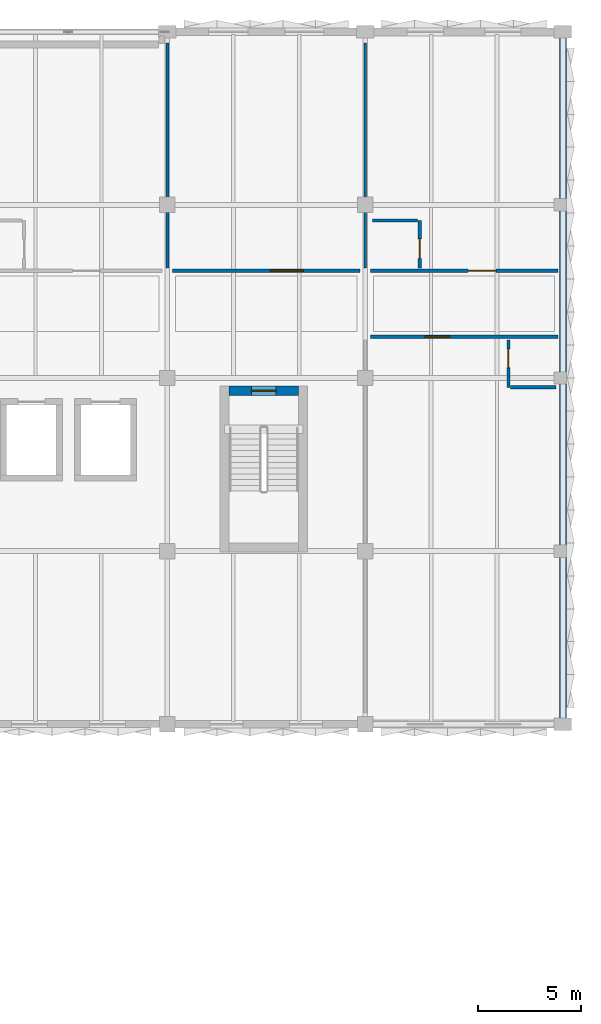
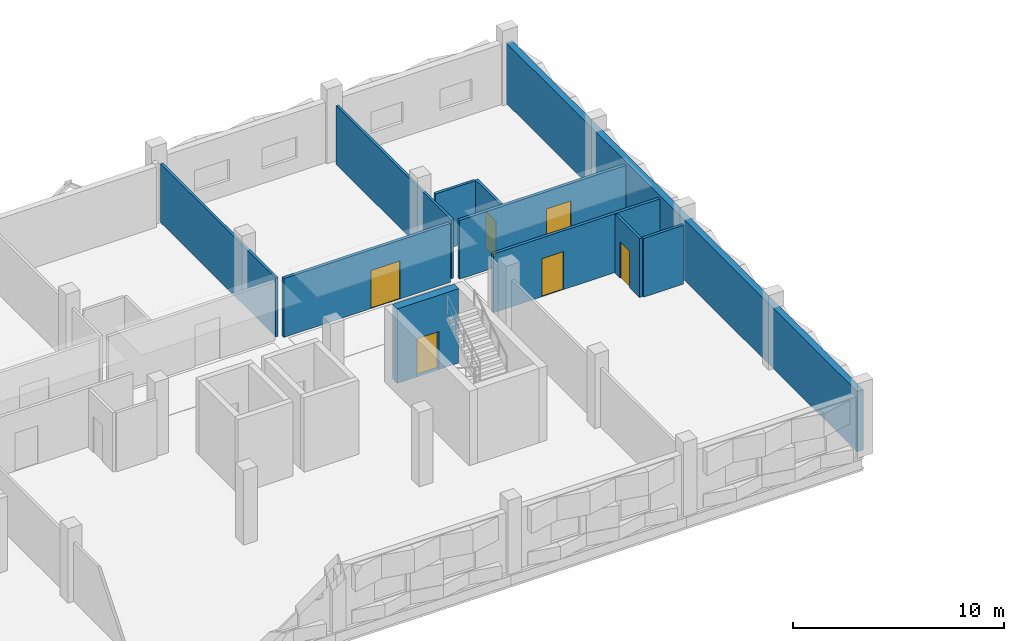
# One storey, part 66 of 86: 11 walls, 6 doors, 6 openings.
"""IFC4 building model written with IfcOpenShell, lengths in metres."""

import ifcopenshell
import ifcopenshell.guid

model = None  # the IFC model being written
_history = None  # IfcOwnerHistory: only IFC2X3 demands one
_inside = {}  # id of a spatial element -> (the spatial element, [elements in it])
_under = {}  # id of a project, library or spatial element -> (it, [spatial elements below it])
_declared = {}  # id of a project -> (the project, [libraries it declares])
_typed = {}  # id of a type object -> (the type object, [elements of that type])
_made_of = {}  # id of a material, layer set ... -> (it, [elements and type objects made of it])


def new_model(schema):
    """Start an empty IFC model of exactly this schema.

    Asked for "IFC4X3", IfcOpenShell would pick the latest addendum, in which some entities
    have other attributes; the version numbers below select the first issue.
    IFC2X3 requires an IfcOwnerHistory on every rooted entity: one is made here for all.
    """
    global model, _history
    if schema == "IFC4X3":
        model = ifcopenshell.file(schema_version=(4, 3, 0, 0))
    else:
        model = ifcopenshell.file(schema=schema)
    _inside.clear()
    _under.clear()
    _declared.clear()
    _typed.clear()
    _made_of.clear()
    _history = None
    if model.schema == "IFC2X3":
        org = make("IfcOrganization", Name="unknown")
        user = make(
            "IfcPersonAndOrganization",
            ThePerson=make("IfcPerson", FamilyName="unknown"),
            TheOrganization=org,
        )
        app = make(
            "IfcApplication",
            ApplicationDeveloper=org,
            Version="unknown",
            ApplicationFullName="unknown",
            ApplicationIdentifier="unknown",
        )
        _history = make(
            "IfcOwnerHistory",
            OwningUser=user,
            OwningApplication=app,
            ChangeAction="ADDED",
            CreationDate=0,
        )
    return model


def make(cls, **values):
    """One entity of the class cls with the attributes given. An attribute that is None is left unset."""
    return model.create_entity(
        cls, **{name: value for name, value in values.items() if value is not None}
    )


def rooted(cls, **values):
    """An entity with a GlobalId (a new one), such as an element, a storey or a relation."""
    return make(cls, GlobalId=ifcopenshell.guid.new(), OwnerHistory=_history, **values)


def si_unit(unit_type, name, prefix=None):
    """IfcSIUnit, for example si_unit("LENGTHUNIT", "METRE", prefix="MILLI")."""
    return make("IfcSIUnit", UnitType=unit_type, Prefix=prefix, Name=name)


def assignment(units):
    """IfcUnitAssignment: the units of a project."""
    return None if units is None else make("IfcUnitAssignment", Units=units)


def point(xyz):
    """IfcCartesianPoint."""
    return None if xyz is None else make("IfcCartesianPoint", Coordinates=xyz)


def direction(xyz):
    """IfcDirection."""
    return None if xyz is None else make("IfcDirection", DirectionRatios=xyz)


def frame(location, z_axis=None, x_axis=None):
    """IfcAxis2Placement3D, a coordinate frame: its origin and axes. An axis left out is left unset."""
    return make(
        "IfcAxis2Placement3D",
        Location=point(location),
        Axis=direction(z_axis),
        RefDirection=direction(x_axis),
    )


def frame_2d(location, x_axis=None):
    """IfcAxis2Placement2D, a coordinate frame in the plane: its origin and x axis."""
    return make(
        "IfcAxis2Placement2D", Location=point(location), RefDirection=direction(x_axis)
    )


def origin():
    """The frame at (0, 0, 0) with its axes left unset."""
    return frame((0.0, 0.0, 0.0))


def place(relative_to, where):
    """IfcLocalPlacement: puts the frame where relative to a parent placement (None: the world)."""
    return make(
        "IfcLocalPlacement", PlacementRelTo=relative_to, RelativePlacement=where
    )


def context(
    kind, dimensions, precision=None, world=None, true_north=None, identifier=None
):
    """IfcGeometricRepresentationContext, for example the 3D "Model" context."""
    return make(
        "IfcGeometricRepresentationContext",
        ContextIdentifier=identifier,
        ContextType=kind,
        CoordinateSpaceDimension=dimensions,
        Precision=precision,
        WorldCoordinateSystem=world,
        TrueNorth=true_north,
    )


def subcontext(parent, identifier, kind, view, scale=None):
    """IfcGeometricRepresentationSubContext, for example "Body" below "Model"."""
    return make(
        "IfcGeometricRepresentationSubContext",
        ContextIdentifier=identifier,
        ContextType=kind,
        ParentContext=parent,
        TargetScale=scale,
        TargetView=view,
    )


def project(units=None, contexts=None):
    """IfcProject with its units and contexts."""
    return rooted(
        "IfcProject",
        Name="project",
        RepresentationContexts=contexts,
        UnitsInContext=assignment(units),
    )


def spatial(cls, under=None, at=None, **own):
    """A site, building, storey or space (cls), placed at a placement, below another one or the project."""
    s = rooted(cls, ObjectPlacement=at, **own)
    if under is not None:
        _under.setdefault(under.id(), (under, []))[1].append(s)
    return s


def profile(cls, at=None, kind="AREA", **sizes):
    """A parametric profile (cls). Its sizes go by their IFC names, for example OverallWidth=200.0."""
    return make(cls, ProfileType=kind, Position=at, **sizes)


def rectangle(**sizes):
    """IfcRectangleProfileDef."""
    return profile("IfcRectangleProfileDef", **sizes)


def extrude(swept, where, along, depth):
    """IfcExtrudedAreaSolid: the profile swept, set in the frame where, extruded along a direction by depth."""
    return make(
        "IfcExtrudedAreaSolid",
        SweptArea=swept,
        Position=where,
        ExtrudedDirection=direction(along),
        Depth=depth,
    )


def shape(context_of_items, identifier, shape_type, items):
    """IfcShapeRepresentation: the items that make up one representation, for example the "Body"."""
    return make(
        "IfcShapeRepresentation",
        ContextOfItems=context_of_items,
        RepresentationIdentifier=identifier,
        RepresentationType=shape_type,
        Items=items,
    )


def material(Name=None, Category=None):
    """IfcMaterial."""
    return make("IfcMaterial", Name=Name, Category=Category)


def layer(
    of_material, thickness, ventilated=None, Name=None, Category=None, Priority=None
):
    """IfcMaterialLayer: one layer of a wall or slab, of a material (None: an air gap)."""
    return make(
        "IfcMaterialLayer",
        Material=of_material,
        LayerThickness=thickness,
        IsVentilated=ventilated,
        Name=Name,
        Category=Category,
        Priority=Priority,
    )


def layer_set(layers, Name=None):
    """IfcMaterialLayerSet."""
    return make("IfcMaterialLayerSet", MaterialLayers=layers, LayerSetName=Name)


def made_of(thing, what):
    """Note that an element or type object is made of a material, layer set ...; save() writes the relation."""
    if what is not None:
        _made_of.setdefault(what.id(), (what, []))[1].append(thing)
    return thing


def type_object(cls, material=None, **own):
    """A type object (cls), such as IfcWallType, which elements share."""
    return made_of(rooted(cls, **own), material)


def element(
    cls,
    number,
    at=None,
    inside=None,
    cuts=None,
    type_object=None,
    material=None,
    context=None,
    identifier="Body",
    shape_type=None,
    held_by="IfcProductDefinitionShape",
    body=None,
    shapes=None,
    **own,
):
    """One element of the class cls, such as IfcWall. Its Tag is "e" and its number.

    at: its placement. inside: the storey or other place that contains it. cuts: it is an
    opening in that element (IfcRelVoidsElement). A single representation is given by context,
    identifier, shape_type and body (its items); several are given by shapes. held_by: the class
    of the entity that holds the representations. save() writes the other relations.
    """
    e = rooted(cls, Tag="e%d" % number, ObjectPlacement=at, **own)
    if body is not None:
        shapes = [shape(context, identifier, shape_type, body)]
    if shapes is not None:
        e.Representation = make(held_by, Representations=shapes)
    if inside is not None:
        _inside.setdefault(inside.id(), (inside, []))[1].append(e)
    if cuts is not None:
        rooted(
            "IfcRelVoidsElement", RelatingBuildingElement=cuts, RelatedOpeningElement=e
        )
    if type_object is not None:
        _typed.setdefault(type_object.id(), (type_object, []))[1].append(e)
    return made_of(e, material)


def fill(opening, filler):
    """IfcRelFillsElement: the door or window that sits in an opening."""
    return rooted(
        "IfcRelFillsElement",
        RelatingOpeningElement=opening,
        RelatedBuildingElement=filler,
    )


def aggregate(whole, parts):
    """IfcRelAggregates: a whole, such as a stair, and the parts it consists of."""
    return rooted("IfcRelAggregates", RelatingObject=whole, RelatedObjects=parts)


def save(model, path):
    """Write the relations noted so far, then the file.

    IfcRelAggregates (storeys below a building ...), IfcRelContainedInSpatialStructure (elements
    in a storey), IfcRelDefinesByType, IfcRelAssociatesMaterial and IfcRelDeclares: one each for
    every whole, place, type object, material and project.
    """
    for whole, parts in _under.values():
        aggregate(whole, parts)
    for where, things in _inside.values():
        rooted(
            "IfcRelContainedInSpatialStructure",
            RelatedElements=things,
            RelatingStructure=where,
        )
    for kind, things in _typed.values():
        rooted("IfcRelDefinesByType", RelatedObjects=things, RelatingType=kind)
    for what, things in _made_of.values():
        rooted("IfcRelAssociatesMaterial", RelatedObjects=things, RelatingMaterial=what)
    for by, libraries in _declared.values():
        rooted("IfcRelDeclares", RelatingContext=by, RelatedDefinitions=libraries)
    model.write(path)


model = new_model("IFC4")

# Units and contexts
model_context = context("Model", 3, precision=1e-05, world=origin(), true_north=direction((0.0, 1.0)))
body_context = subcontext(model_context, "Body", "Model", "MODEL_VIEW")
ifc_project = project(units=[si_unit("LENGTHUNIT", "METRE"), si_unit("AREAUNIT", "SQUARE_METRE"), si_unit("VOLUMEUNIT", "CUBIC_METRE"), si_unit("PLANEANGLEUNIT", "RADIAN"), si_unit("MASSUNIT", "GRAM", prefix="KILO")], contexts=[model_context])

# Site, building, storey
site_placement = place(None, origin())
site = spatial("IfcSite", under=ifc_project, at=site_placement, CompositionType="ELEMENT")
building_placement = place(site_placement, origin())
building = spatial("IfcBuilding", under=site, at=building_placement, Name="Oolite Switchyard Hospital", CompositionType="ELEMENT")
storey_placement = place(building_placement, frame((0.0, 0.0, 13.5)))
storey = spatial("IfcBuildingStorey", under=building, at=storey_placement, Name="L03", CompositionType="ELEMENT", Elevation=13.5)

# Walls
ifc_material_1 = material(Name="Precast oolitic limestone architectural concrete C40/50", Category="masonry")
ifc_layer_1 = layer(ifc_material_1, 0.340087890625)
ifc_layer_set_1 = layer_set([ifc_layer_1], Name="WAL-EXT-340")
wall_type_1 = type_object("IfcWallType", Name="WAL-EXT-340", PredefinedType="SOLIDWALL", material=ifc_layer_set_1)
wall_1_placement = place(storey_placement, frame((211.199951171875, 134.239990234375, 0.0), z_axis=(0.0, 0.0, 1.0), x_axis=(0.0, -1.0, 0.0)))
element("IfcWall", 1, at=wall_1_placement, inside=storey, type_object=wall_type_1, Name="L03 Exterior Spandrel Wall 246", PredefinedType="SOLIDWALL", context=body_context, shape_type="SweptSolid", body=[
    extrude(rectangle(XDim=33.280029296875, YDim=0.340087890625, at=frame_2d((16.64013671875, 0.0))), origin(), (0.0, 0.0, 1.0), 3.489990234375),
])
ifc_material_2 = material(Name="Moisture-resistant gypsum board on steel studs", Category="steel")
ifc_layer_2 = layer(ifc_material_2, 0.135009765625)
ifc_layer_set_2 = layer_set([ifc_layer_2], Name="WAL-PART-135")
wall_type_2 = type_object("IfcWallType", Name="WAL-PART-135", PredefinedType="PARTITIONING", material=ifc_layer_set_2)
for number, where, z_axis, x_axis, name in (
    (2, (192.0, 122.949951171875, 0.0), (0.0, 0.0, 1.0), (0.0, 1.0, 0.0), "L03 Interior Partition 693"),
    (3, (201.60009765625, 122.949951171875, 0.0), (0.0, 0.0, 1.0), (0.0, 1.0, 0.0), "L03 Interior Partition 701"),
):
    element("IfcWall", number, at=place(storey_placement, frame(where, z_axis=z_axis, x_axis=x_axis)), inside=storey, type_object=wall_type_2, Name=name, PredefinedType="PARTITIONING", context=body_context, shape_type="SweptSolid", body=[
        extrude(rectangle(XDim=10.900146484375, YDim=0.135009765625, at=frame_2d((5.4501953125, 0.0))), origin(), (0.0, 0.0, 1.0), 3.39990234375),
    ])

# Wall, opening, door
ifc_layer_3 = layer(ifc_material_2, 0.14990234375)
ifc_layer_set_3 = layer_set([ifc_layer_3], Name="WAL-PART-150")
wall_type_3 = type_object("IfcWallType", Name="WAL-PART-150", PredefinedType="PARTITIONING", material=ifc_layer_set_3)
wall_2_placement = place(storey_placement, frame((208.550048828125, 117.14990234375, 0.0), z_axis=(0.0, 0.0, 1.0), x_axis=(0.0, 1.0, 0.0)))
wall_2 = element("IfcWall", 4, at=wall_2_placement, inside=storey, type_object=wall_type_3, Name="L03 Interior Partition 695", PredefinedType="PARTITIONING", context=body_context, shape_type="SweptSolid", body=[
    extrude(rectangle(XDim=2.300048828125, YDim=0.14990234375, at=frame_2d((1.14990234375, 0.0))), origin(), (0.0, 0.0, 1.0), 3.39990234375),
])
opening_1_placement = place(wall_2_placement, frame((0.949951171875, 0.0, 0.0)))
opening_1 = element("IfcOpeningElement", 5, at=opening_1_placement, cuts=wall_2, Name="Opening D-0388", PredefinedType="OPENING", context=body_context, shape_type="SweptSolid", body=[
    extrude(rectangle(XDim=0.89990234375, YDim=2.10009765625, at=frame_2d((0.449951171875, 1.050048828125))), frame((0.0, 0.0849609375, 0.0), z_axis=(0.0, -1.0, 0.0), x_axis=(1.0, 0.0, 0.0)), (0.0, 0.0, 1.0), 0.169921875),
])
ifc_material_3 = material(Name="Solid-core antimicrobial hardwood leaf in steel frame", Category="steel")
door_type_1 = type_object("IfcDoorType", Name="DR-BATH-090X210", OperationType="NOTDEFINED", PredefinedType="DOOR", material=ifc_material_3)
door_1_placement = place(opening_1_placement, origin())
door_1 = element("IfcDoor", 6, at=door_1_placement, inside=storey, type_object=door_type_1, Name="L03 Interior Door D-0388", OperationType="SINGLE_SWING_LEFT", OverallHeight=2.10009765625, OverallWidth=0.89990234375, PredefinedType="DOOR", context=body_context, shape_type="SweptSolid", body=[
    extrude(rectangle(XDim=0.89990234375, YDim=2.10009765625, at=frame_2d((0.449951171875, 1.050048828125))), frame((0.0, 0.02490234375, 0.0), z_axis=(0.0, -1.0, 0.0), x_axis=(1.0, 0.0, 0.0)), (0.0, 0.0, 1.0), 0.050048828125),
])
fill(opening_1, door_1)

# Wall
wall_3_placement = place(storey_placement, frame((208.64990234375, 117.14990234375, 0.0), z_axis=(0.0, 0.0, 1.0), x_axis=(1.0, 0.0, 0.0)))
element("IfcWall", 7, at=wall_3_placement, inside=storey, type_object=wall_type_3, Name="L03 Interior Partition 696", PredefinedType="PARTITIONING", context=body_context, shape_type="SweptSolid", body=[
    extrude(rectangle(XDim=2.2001953125, YDim=0.14990234375, at=frame_2d((1.10009765625, 0.0))), origin(), (0.0, 0.0, 1.0), 3.39990234375),
])

# Wall, opening, door
wall_4_placement = place(storey_placement, frame((204.25, 122.949951171875, 0.0), z_axis=(0.0, 0.0, 1.0), x_axis=(0.0, 1.0, 0.0)))
wall_4 = element("IfcWall", 8, at=wall_4_placement, inside=storey, type_object=wall_type_3, Name="L03 Interior Partition 699", PredefinedType="PARTITIONING", context=body_context, shape_type="SweptSolid", body=[
    extrude(rectangle(XDim=2.300048828125, YDim=0.14990234375, at=frame_2d((1.14990234375, 0.0))), origin(), (0.0, 0.0, 1.0), 3.39990234375),
])
opening_2_placement = place(wall_4_placement, frame((0.449951171875, 0.0, 0.0)))
opening_2 = element("IfcOpeningElement", 9, at=opening_2_placement, cuts=wall_4, Name="Opening D-0390", PredefinedType="OPENING", context=body_context, shape_type="SweptSolid", body=[
    extrude(rectangle(XDim=0.949951171875, YDim=2.10009765625, at=frame_2d((0.47509765625, 1.050048828125))), frame((0.0, 0.0849609375, 0.0), z_axis=(0.0, -1.0, 0.0), x_axis=(1.0, 0.0, 0.0)), (0.0, 0.0, 1.0), 0.169921875),
])
door_type_2 = type_object("IfcDoorType", Name="DR-BATH-095X210", OperationType="NOTDEFINED", PredefinedType="DOOR", material=ifc_material_3)
door_2_placement = place(opening_2_placement, origin())
door_2 = element("IfcDoor", 10, at=door_2_placement, inside=storey, type_object=door_type_2, Name="L03 Interior Door D-0390", OperationType="SINGLE_SWING_RIGHT", OverallHeight=2.10009765625, OverallWidth=0.949951171875, PredefinedType="DOOR", context=body_context, shape_type="SweptSolid", body=[
    extrude(rectangle(XDim=0.949951171875, YDim=2.10009765625, at=frame_2d((0.47509765625, 1.050048828125))), frame((0.0, 0.02490234375, 0.0), z_axis=(0.0, -1.0, 0.0), x_axis=(1.0, 0.0, 0.0)), (0.0, 0.0, 1.0), 0.050048828125),
])
fill(opening_2, door_2)

# Wall
wall_5_placement = place(storey_placement, frame((201.949951171875, 125.25, 0.0), z_axis=(0.0, 0.0, 1.0), x_axis=(1.0, 0.0, 0.0)))
element("IfcWall", 11, at=wall_5_placement, inside=storey, type_object=wall_type_3, Name="L03 Interior Partition 700", PredefinedType="PARTITIONING", context=body_context, shape_type="SweptSolid", body=[
    extrude(rectangle(XDim=2.199951171875, YDim=0.14990234375, at=frame_2d((1.10009765625, 0.0))), origin(), (0.0, 0.0, 1.0), 3.39990234375),
])

# Wall, opening, door
ifc_layer_4 = layer(ifc_material_2, 0.1650390625)
ifc_layer_set_4 = layer_set([ifc_layer_4], Name="WAL-PART-165")
wall_type_4 = type_object("IfcWallType", Name="WAL-PART-165", PredefinedType="PARTITIONING", material=ifc_layer_set_4)
wall_6_placement = place(storey_placement, frame((192.25, 122.800048828125, 0.0), z_axis=(0.0, 0.0, 1.0), x_axis=(1.0, 0.0, 0.0)))
wall_6 = element("IfcWall", 12, at=wall_6_placement, inside=storey, type_object=wall_type_4, Name="L03 Interior Partition 692", PredefinedType="PARTITIONING", context=body_context, shape_type="SweptSolid", body=[
    extrude(rectangle(XDim=9.10009765625, YDim=0.1650390625, at=frame_2d((4.550048828125, 0.0))), origin(), (0.0, 0.0, 1.0), 3.39990234375),
])
opening_3_placement = place(wall_6_placement, frame((4.75, 0.0, 0.0)))
opening_3 = element("IfcOpeningElement", 13, at=opening_3_placement, cuts=wall_6, Name="Opening D-0386", PredefinedType="OPENING", context=body_context, shape_type="SweptSolid", body=[
    extrude(rectangle(XDim=1.60009765625, YDim=2.199951171875, at=frame_2d((0.800048828125, 1.10009765625))), frame((0.0, 0.092529296875, 0.0), z_axis=(0.0, -1.0, 0.0), x_axis=(1.0, 0.0, 0.0)), (0.0, 0.0, 1.0), 0.18505859375),
])
ifc_material_4 = material(Name="Hollow metal fire-rated steel door assembly", Category="steel")
door_type_3 = type_object("IfcDoorType", Name="DR-DBL-160X220", OperationType="NOTDEFINED", PredefinedType="DOOR", material=ifc_material_4)
door_3_placement = place(opening_3_placement, origin())
door_3 = element("IfcDoor", 14, at=door_3_placement, inside=storey, type_object=door_type_3, Name="L03 Interior Door D-0386", OperationType="DOUBLE_DOOR_SINGLE_SWING", OverallHeight=2.199951171875, OverallWidth=1.60009765625, PredefinedType="DOOR", context=body_context, shape_type="SweptSolid", body=[
    extrude(rectangle(XDim=1.60009765625, YDim=2.199951171875, at=frame_2d((0.800048828125, 1.10009765625))), frame((0.0, 0.02490234375, 0.0), z_axis=(0.0, -1.0, 0.0), x_axis=(1.0, 0.0, 0.0)), (0.0, 0.0, 1.0), 0.050048828125),
])
fill(opening_3, door_3)

wall_7_placement = place(storey_placement, frame((201.85009765625, 119.60009765625, 0.0), z_axis=(0.0, 0.0, 1.0), x_axis=(1.0, 0.0, 0.0)))
wall_7 = element("IfcWall", 15, at=wall_7_placement, inside=storey, type_object=wall_type_4, Name="L03 Interior Partition 694", PredefinedType="PARTITIONING", context=body_context, shape_type="SweptSolid", body=[
    extrude(rectangle(XDim=9.099853515625, YDim=0.1650390625, at=frame_2d((4.5498046875, 0.0))), origin(), (0.0, 0.0, 1.0), 3.39990234375),
])
opening_4_placement = place(wall_7_placement, frame((2.64990234375, 0.0, 0.0)))
opening_4 = element("IfcOpeningElement", 16, at=opening_4_placement, cuts=wall_7, Name="Opening D-0387", PredefinedType="OPENING", context=body_context, shape_type="SweptSolid", body=[
    extrude(rectangle(XDim=1.199951171875, YDim=2.199951171875, at=frame_2d((0.60009765625, 1.10009765625))), frame((0.0, 0.092529296875, 0.0), z_axis=(0.0, -1.0, 0.0), x_axis=(1.0, 0.0, 0.0)), (0.0, 0.0, 1.0), 0.18505859375),
])
door_type_4 = type_object("IfcDoorType", Name="DR-WARD-120X220", OperationType="NOTDEFINED", PredefinedType="DOOR", material=ifc_material_3)
door_4_placement = place(opening_4_placement, origin())
door_4 = element("IfcDoor", 17, at=door_4_placement, inside=storey, type_object=door_type_4, Name="L03 Interior Door D-0387", OperationType="SINGLE_SWING_RIGHT", OverallHeight=2.199951171875, OverallWidth=1.199951171875, PredefinedType="DOOR", context=body_context, shape_type="SweptSolid", body=[
    extrude(rectangle(XDim=1.199951171875, YDim=2.199951171875, at=frame_2d((0.60009765625, 1.10009765625))), frame((0.0, 0.02490234375, 0.0), z_axis=(0.0, -1.0, 0.0), x_axis=(1.0, 0.0, 0.0)), (0.0, 0.0, 1.0), 0.050048828125),
])
fill(opening_4, door_4)

wall_8_placement = place(storey_placement, frame((201.85009765625, 122.800048828125, 0.0), z_axis=(0.0, 0.0, 1.0), x_axis=(1.0, 0.0, 0.0)))
wall_8 = element("IfcWall", 18, at=wall_8_placement, inside=storey, type_object=wall_type_4, Name="L03 Interior Partition 698", PredefinedType="PARTITIONING", context=body_context, shape_type="SweptSolid", body=[
    extrude(rectangle(XDim=9.099853515625, YDim=0.1650390625, at=frame_2d((4.5498046875, 0.0))), origin(), (0.0, 0.0, 1.0), 3.39990234375),
])
opening_5_placement = place(wall_8_placement, frame((4.75, 0.0, 0.0)))
opening_5 = element("IfcOpeningElement", 19, at=opening_5_placement, cuts=wall_8, Name="Opening D-0389", PredefinedType="OPENING", context=body_context, shape_type="SweptSolid", body=[
    extrude(rectangle(XDim=1.35009765625, YDim=2.39990234375, at=frame_2d((0.675048828125, 1.199951171875))), frame((0.0, 0.092529296875, 0.0), z_axis=(0.0, -1.0, 0.0), x_axis=(1.0, 0.0, 0.0)), (0.0, 0.0, 1.0), 0.18505859375),
])
door_type_5 = type_object("IfcDoorType", Name="DR-ICU-135X240", OperationType="NOTDEFINED", PredefinedType="DOOR", material=ifc_material_3)
door_5_placement = place(opening_5_placement, origin())
door_5 = element("IfcDoor", 20, at=door_5_placement, inside=storey, type_object=door_type_5, Name="L03 Interior Door D-0389", OperationType="SINGLE_SWING_LEFT", OverallHeight=2.39990234375, OverallWidth=1.35009765625, PredefinedType="DOOR", context=body_context, shape_type="SweptSolid", body=[
    extrude(rectangle(XDim=1.35009765625, YDim=2.39990234375, at=frame_2d((0.675048828125, 1.199951171875))), frame((0.0, 0.02490234375, 0.0), z_axis=(0.0, -1.0, 0.0), x_axis=(1.0, 0.0, 0.0)), (0.0, 0.0, 1.0), 0.050048828125),
])
fill(opening_5, door_5)

ifc_material_5 = material(Name="Concrete C50/60", Category="concrete")
ifc_layer_5 = layer(ifc_material_5, 0.449951171875)
ifc_layer_set_5 = layer_set([ifc_layer_5], Name="WAL-SHR-450")
wall_type_5 = type_object("IfcWallType", Name="WAL-SHR-450", PredefinedType="SHEAR", material=ifc_layer_set_5)
wall_9_placement = place(storey_placement, frame((198.360107421875, 116.97509765625, 0.0), z_axis=(0.0, 0.0, 1.0), x_axis=(-1.0, 0.0, 0.0)))
wall_9 = element("IfcWall", 21, at=wall_9_placement, inside=storey, type_object=wall_type_5, Name="L03 Core Shear Wall ST-04", PredefinedType="SHEAR", context=body_context, shape_type="SweptSolid", body=[
    extrude(rectangle(XDim=3.360107421875, YDim=0.449951171875, at=frame_2d((1.68017578125, 0.0))), origin(), (0.0, 0.0, 1.0), 4.300048828125),
])
opening_6_placement = place(wall_9_placement, frame((1.080078125, 0.0, 0.0)))
opening_6 = element("IfcOpeningElement", 22, at=opening_6_placement, cuts=wall_9, Name="Opening SD-027", PredefinedType="OPENING", context=body_context, shape_type="SweptSolid", body=[
    extrude(rectangle(XDim=1.199951171875, YDim=2.199951171875, at=frame_2d((0.60009765625, 1.10009765625))), frame((0.0, 0.23486328125, 0.0), z_axis=(0.0, -1.0, 0.0), x_axis=(1.0, 0.0, 0.0)), (0.0, 0.0, 1.0), 0.469970703125),
])
door_type_6 = type_object("IfcDoorType", Name="DR-STR-120X220", OperationType="NOTDEFINED", PredefinedType="DOOR", material=ifc_material_4)
door_6_placement = place(opening_6_placement, origin())
door_6 = element("IfcDoor", 23, at=door_6_placement, inside=storey, type_object=door_type_6, Name="L03 ST-04 Exit Stair Door SD-027", OperationType="SINGLE_SWING_LEFT", OverallHeight=2.199951171875, OverallWidth=1.199951171875, PredefinedType="DOOR", context=body_context, shape_type="SweptSolid", body=[
    extrude(rectangle(XDim=1.199951171875, YDim=2.199951171875, at=frame_2d((0.60009765625, 1.10009765625))), frame((0.0, 0.02490234375, 0.0), z_axis=(0.0, -1.0, 0.0), x_axis=(1.0, 0.0, 0.0)), (0.0, 0.0, 1.0), 0.050048828125),
])
fill(opening_6, door_6)

save(model, "model.ifc")
